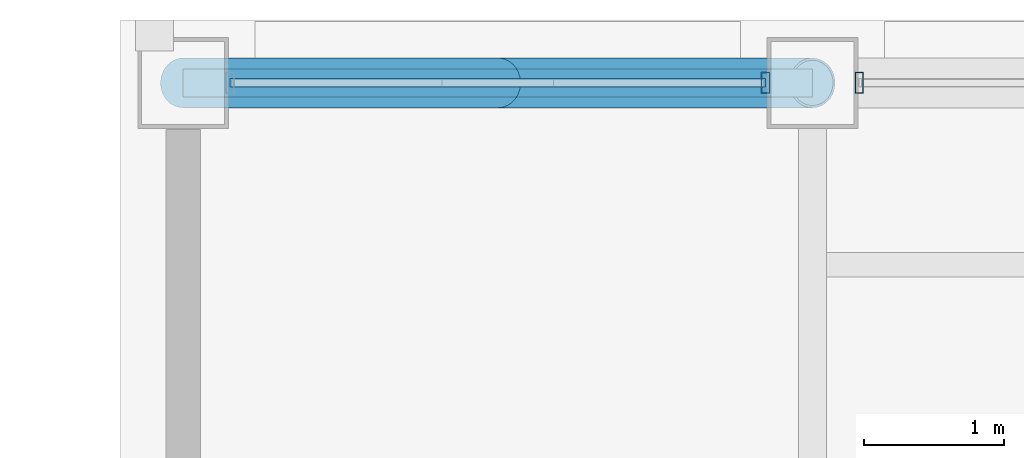
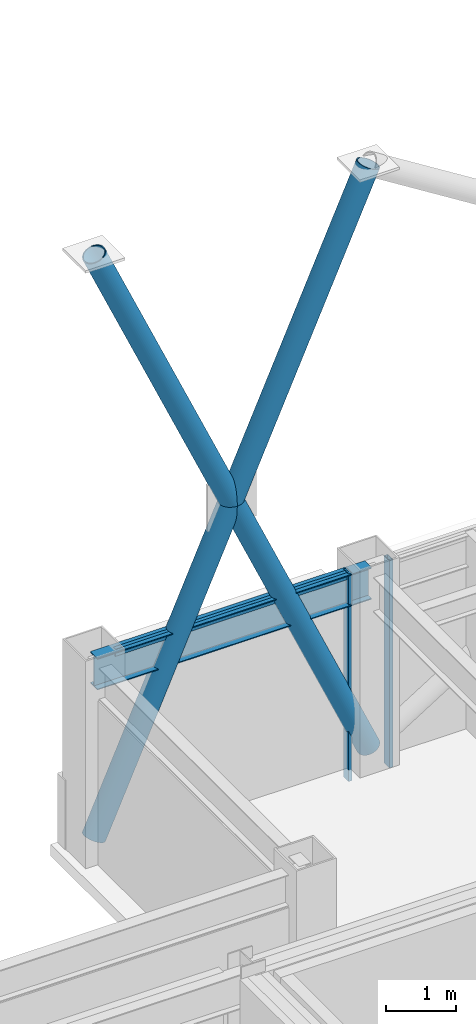
# One storey, part 17 of 26: 6 members, 1 beam, 2 elements without a shape of their own.
"""IFC4 building model written with IfcOpenShell, lengths in metres."""

from ifc_helpers import new_model, si_unit, direction, frame, origin, origin_2d, place, context, subcontext, project, spatial, hollow_rectangle, hollow_circle, i_section, extrude, material, layer, layer_set, material_profile, profile_set, type_object, element, aggregate, save


model = new_model("IFC4")

# Units and contexts
model_context = context("Model", 3, precision=1e-05, world=origin(), true_north=direction((0.0, 1.0)))
body_context = subcontext(model_context, "Body", "Model", "MODEL_VIEW")
ifc_project = project(units=[si_unit("LENGTHUNIT", "METRE"), si_unit("AREAUNIT", "SQUARE_METRE"), si_unit("VOLUMEUNIT", "CUBIC_METRE"), si_unit("PLANEANGLEUNIT", "RADIAN"), si_unit("MASSUNIT", "GRAM", prefix="KILO")], contexts=[model_context])

# Site, building, storey
site_placement = place(None, origin())
site = spatial("IfcSite", under=ifc_project, at=site_placement, CompositionType="ELEMENT")
building_placement = place(site_placement, origin())
building = spatial("IfcBuilding", under=site, at=building_placement, Name="Brelmoor Portico Tower", CompositionType="ELEMENT")
storey_placement = place(building_placement, frame((0.0, 0.0, 247.199951171875)))
storey = spatial("IfcBuildingStorey", under=building, at=storey_placement, Name="L65", CompositionType="ELEMENT", Elevation=247.199951171875)

# Beam
ifc_material_1 = material(Name="Steel Q355B", Category="steel")
ifc_material_profile_1 = material_profile(ifc_material_1, i_section(OverallWidth=0.199951171875, OverallDepth=0.550048828125, WebThickness=0.010009765625, FlangeThickness=0.01611328125, at=origin_2d()), Name="HN 550x200x10x16")
ifc_profile_set_1 = profile_set([ifc_material_profile_1], Name="Steel Q355B")
beam_type = type_object("IfcBeamType", Name="BM-SP-550", PredefinedType="SPANDREL", material=ifc_profile_set_1)
beam_placement = place(storey_placement, frame((-12.550048828125, 17.550048828125, 3.125), z_axis=(1.0, 0.0, 0.0), x_axis=(0.0, 1.0, 0.0)))
element("IfcBeam", 1, at=beam_placement, inside=storey, type_object=beam_type, Name="L65 Perimeter Spandrel Beam SP-08", PredefinedType="SPANDREL", context=body_context, shape_type="SweptSolid", body=[
    extrude(i_section(OverallWidth=0.199951171875, OverallDepth=0.550048828125, WebThickness=0.010009765625, FlangeThickness=0.01611328125, at=origin_2d()), origin(), (0.0, 0.0, 1.0), 4.5),
])

# Members
ifc_material_profile_2 = material_profile(ifc_material_1, hollow_circle(Radius=0.177978515625, WallThickness=0.01611328125, at=origin_2d()), Name="CHS 356x16")
ifc_profile_set_2 = profile_set([ifc_material_profile_2], Name="Steel Q355B")
member_type_1 = type_object("IfcMemberType", Name="MB-BELT-DIAG2", PredefinedType="BRACE", material=ifc_profile_set_2)
member_1_placement = place(storey_placement, frame((-12.550048828125, 17.550048828125, 0.25), z_axis=(0.406974140277, 0.0, 0.913439680081), x_axis=(0.0, 1.0, 0.0)))
element("IfcMember", 2, at=member_1_placement, inside=storey, type_object=member_type_1, Name="L65 Continuous Mega-X Brace 146A", PredefinedType="BRACE", context=body_context, shape_type="SweptSolid", body=[
    extrude(hollow_circle(Radius=0.177978515625, WallThickness=0.01611328125, at=origin_2d()), origin(), (0.0, 0.0, 1.0), 11.05712890625),
])
for number, where, z_axis, x_axis, name in (
    (3, (-8.050048828125, 17.550048828125, 0.25), (-0.406974140277, 0.0, 0.913439680081), (0.0, -1.0, 0.0), "L65 Split Mega-X Brace 146B1"),
    (4, (-10.300048828125, 17.550048828125, 5.300048828125), (-0.406974140277, 0.0, 0.913439680081), (0.0, -1.0, 0.0), "L65 Split Mega-X Brace 146B2"),
):
    element("IfcMember", number, at=place(storey_placement, frame(where, z_axis=z_axis, x_axis=x_axis)), inside=storey, type_object=member_type_1, Name=name, PredefinedType="BRACE", context=body_context, shape_type="SweptSolid", body=[
        extrude(hollow_circle(Radius=0.177978515625, WallThickness=0.01611328125, at=origin_2d()), origin(), (0.0, 0.0, 1.0), 5.528564453125),
    ])

# Curtain wall, member
ifc_material_2 = material(Name="Anodised Aluminium Alloy 6063-T6", Category="aluminium")
ifc_layer = layer(ifc_material_2, 0.179931640625)
ifc_layer_set = layer_set([ifc_layer], Name="Anodised Aluminium Alloy 6063-T6")
curtain_wall_type = type_object("IfcCurtainWallType", Name="CW-TOWER-Z4-XB", PredefinedType="NOTDEFINED", material=ifc_layer_set)
curtain_wall_1_placement = place(storey_placement, origin())
curtain_wall_1 = element("IfcCurtainWall", 5, at=curtain_wall_1_placement, inside=storey, type_object=curtain_wall_type, Name="L65 Curtain Wall CW-L65-02-1", PredefinedType="NOTDEFINED")
ifc_material_profile_3 = material_profile(ifc_material_2, hollow_rectangle(XDim=0.06005859375, YDim=0.14990234375, WallThickness=0.00390625, at=origin_2d()), Name="ALU MULLION 60x150")
ifc_profile_set_3 = profile_set([ifc_material_profile_3], Name="Anodised Aluminium Alloy 6063-T6")
member_type_2 = type_object("IfcMemberType", Name="MB-CW-MULL-150", PredefinedType="MULLION", material=ifc_profile_set_3)
member_2_placement = place(storey_placement, frame((-8.385009765625, 17.550048828125, -0.199951171875), z_axis=(0.0, 0.0, 1.0), x_axis=(1.0, 0.0, 0.0)))
member_2 = element("IfcMember", 6, at=member_2_placement, type_object=member_type_2, Name="CW-L65-02-1 Mullion 01", PredefinedType="MULLION", context=body_context, shape_type="SweptSolid", body=[
    extrude(hollow_rectangle(XDim=0.06005859375, YDim=0.14990234375, WallThickness=0.00390625, at=origin_2d()), origin(), (0.0, 0.0, 1.0), 3.60009765625),
])

curtain_wall_2_placement = place(storey_placement, origin())
curtain_wall_2 = element("IfcCurtainWall", 7, at=curtain_wall_2_placement, inside=storey, type_object=curtain_wall_type, Name="L65 Curtain Wall CW-L65-02-2", PredefinedType="NOTDEFINED")
member_3_placement = place(storey_placement, frame((-7.715087890625, 17.550048828125, -0.199951171875), z_axis=(0.0, 0.0, 1.0), x_axis=(1.0, 0.0, 0.0)))
member_3 = element("IfcMember", 8, at=member_3_placement, type_object=member_type_2, Name="CW-L65-02-2 Mullion 00", PredefinedType="MULLION", context=body_context, shape_type="SweptSolid", body=[
    extrude(hollow_rectangle(XDim=0.06005859375, YDim=0.14990234375, WallThickness=0.00390625, at=origin_2d()), origin(), (0.0, 0.0, 1.0), 3.60009765625),
])
aggregate(curtain_wall_2, [member_3])

# Member
ifc_material_profile_4 = material_profile(ifc_material_2, hollow_rectangle(XDim=0.06005859375, YDim=0.125, WallThickness=0.00341796875, at=origin_2d()), Name="ALU TRANSOM 60x125")
ifc_profile_set_4 = profile_set([ifc_material_profile_4], Name="Anodised Aluminium Alloy 6063-T6")
member_type_3 = type_object("IfcMemberType", Name="MB-CW-TRAN-125", PredefinedType="USERDEFINED", material=ifc_profile_set_4)
member_4_placement = place(storey_placement, frame((-12.215087890625, 17.550048828125, 3.337646484375), z_axis=(1.0, 0.0, 0.0), x_axis=(0.0, 1.0, 0.0)))
member_4 = element("IfcMember", 9, at=member_4_placement, type_object=member_type_3, Name="CW-L65-02-1 Transom 1-00", ObjectType="TRANSOM", PredefinedType="USERDEFINED", context=body_context, shape_type="SweptSolid", body=[
    extrude(hollow_rectangle(XDim=0.06005859375, YDim=0.125, WallThickness=0.00341796875, at=origin_2d()), origin(), (0.0, 0.0, 1.0), 3.830078125),
])

aggregate(curtain_wall_1, [member_2, member_4])

save(model, "model.ifc")
